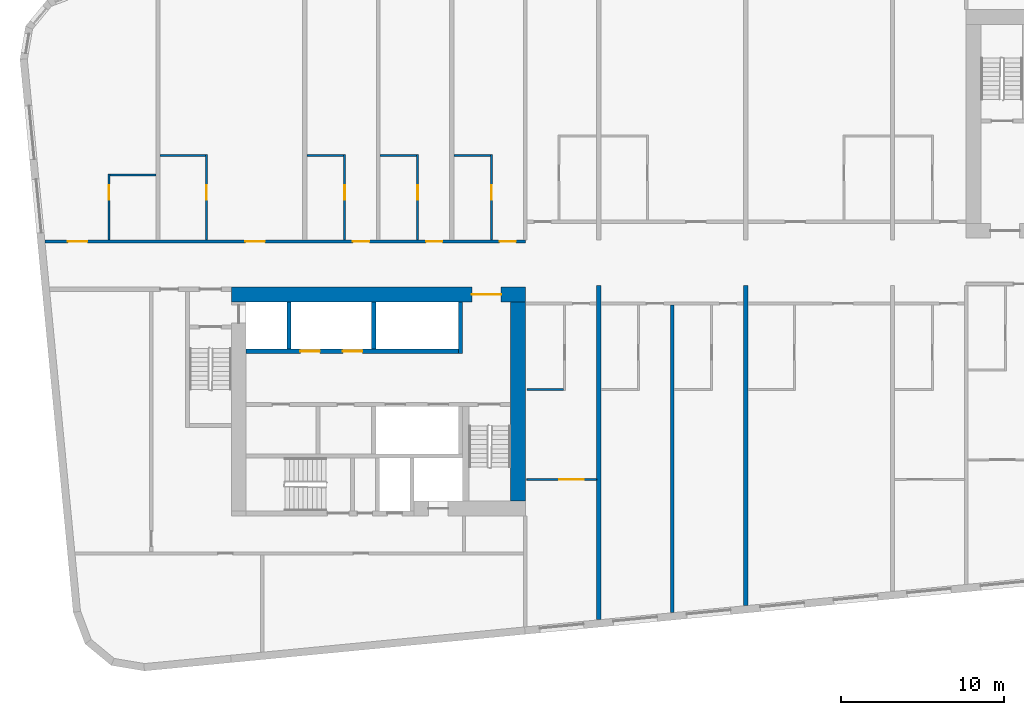
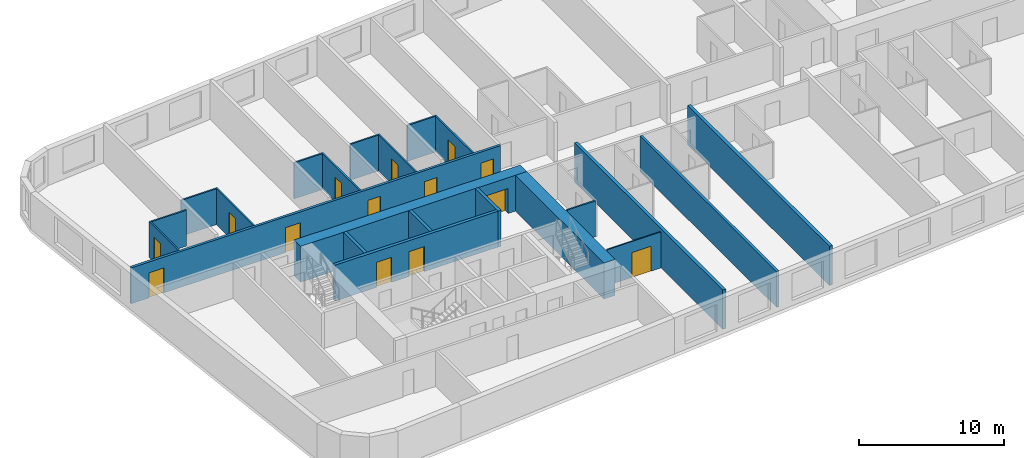
# One storey, part 3 of 12: 22 walls, 14 doors, 14 openings.
"""IFC4 building model written with IfcOpenShell, lengths in metres."""

from ifc_helpers import new_model, si_unit, direction, frame, frame_2d, origin, place, context, subcontext, project, spatial, rectangle, extrude, material, layer, layer_set, type_object, element, fill, save


model = new_model("IFC4")

# Units and contexts
model_context = context("Model", 3, precision=1e-05, world=origin(), true_north=direction((0.0, 1.0)))
body_context = subcontext(model_context, "Body", "Model", "MODEL_VIEW")
ifc_project = project(units=[si_unit("LENGTHUNIT", "METRE"), si_unit("AREAUNIT", "SQUARE_METRE"), si_unit("VOLUMEUNIT", "CUBIC_METRE"), si_unit("PLANEANGLEUNIT", "RADIAN"), si_unit("MASSUNIT", "GRAM", prefix="KILO")], contexts=[model_context])

# Site, building, storey
site_placement = place(None, origin())
site = spatial("IfcSite", under=ifc_project, at=site_placement, CompositionType="ELEMENT")
building_placement = place(site_placement, origin())
building = spatial("IfcBuilding", under=site, at=building_placement, Name="Kajstack Hotel Tower", CompositionType="ELEMENT")
storey_placement = place(building_placement, frame((0.0, 0.0, 183.39990234375)))
storey = spatial("IfcBuildingStorey", under=building, at=storey_placement, Name="L43", CompositionType="ELEMENT", Elevation=183.39990234375)

# Wall, opening, door
ifc_material_1 = material(Name="Concrete C60/75", Category="concrete")
ifc_layer_1 = layer(ifc_material_1, 0.89990234375)
ifc_layer_set_1 = layer_set([ifc_layer_1], Name="Core wall 900")
wall_type_1 = type_object("IfcWallType", Name="Core wall 900", PredefinedType="SHEAR", material=ifc_layer_set_1)
wall_1_placement = place(storey_placement, frame((-31.5, -1.949951171875, 0.0), z_axis=(0.0, 0.0, 1.0), x_axis=(1.0, 0.0, 0.0)))
wall_1 = element("IfcWall", 1, at=wall_1_placement, inside=storey, type_object=wall_type_1, Name="Core wall W RN", PredefinedType="SHEAR", context=body_context, shape_type="SweptSolid", body=[
    extrude(rectangle(XDim=18.0, YDim=0.89990234375, at=frame_2d((9.0, 0.0))), origin(), (0.0, 0.0, 1.0), 3.02001953125),
])
opening_1_placement = place(wall_1_placement, frame((14.72509765625, 0.0, 0.0)))
opening_1 = element("IfcOpeningElement", 2, at=opening_1_placement, cuts=wall_1, Name="Opening 43W07", PredefinedType="OPENING", context=body_context, shape_type="SweptSolid", body=[
    extrude(rectangle(XDim=1.800048828125, YDim=2.10009765625, at=frame_2d((0.89990234375, 1.050048828125))), frame((0.0, 0.4599609375, 0.0), z_axis=(0.0, -1.0, 0.0), x_axis=(1.0, 0.0, 0.0)), (0.0, 0.0, 1.0), 0.919921875),
])
ifc_material_2 = material(Name="Glazed steel frame, fire-rated glass", Category="steel")
door_type_1 = type_object("IfcDoorType", Name="Lobby double door 1800", OperationType="DOUBLE_DOOR_DOUBLE_SWING", PredefinedType="DOOR", material=ifc_material_2)
door_1_placement = place(opening_1_placement, origin())
door_1 = element("IfcDoor", 3, at=door_1_placement, inside=storey, type_object=door_type_1, Name="Door 43W07", OperationType="DOUBLE_DOOR_DOUBLE_SWING", OverallHeight=2.10009765625, OverallWidth=1.800048828125, PredefinedType="DOOR", context=body_context, shape_type="SweptSolid", body=[
    extrude(rectangle(XDim=1.800048828125, YDim=2.10009765625, at=frame_2d((0.89990234375, 1.050048828125))), frame((0.0, 0.02490234375, 0.0), z_axis=(0.0, -1.0, 0.0), x_axis=(1.0, 0.0, 0.0)), (0.0, 0.0, 1.0), 0.050048828125),
])
fill(opening_1, door_1)

# Wall
wall_2_placement = place(storey_placement, frame((-13.949951171875, -14.60009765625, 0.0), z_axis=(0.0, 0.0, 1.0), x_axis=(0.0, 1.0, 0.0)))
element("IfcWall", 4, at=wall_2_placement, inside=storey, type_object=wall_type_1, Name="Core wall W RE", PredefinedType="SHEAR", context=body_context, shape_type="SweptSolid", body=[
    extrude(rectangle(XDim=12.2001953125, YDim=0.89990234375, at=frame_2d((6.10009765625, 0.0))), origin(), (0.0, 0.0, 1.0), 3.02001953125),
])

# Wall, openings, doors
ifc_material_3 = material(Name="Gypsum board on steel studs, mineral wool", Category="steel")
ifc_layer_2 = layer(ifc_material_3, 0.199951171875)
ifc_layer_set_2 = layer_set([ifc_layer_2], Name="Corridor wall 200")
wall_type_2 = type_object("IfcWallType", Name="Corridor wall 200", PredefinedType="PARTITIONING", material=ifc_layer_set_2)
wall_3_placement = place(storey_placement, frame((-42.9130859375, 1.300048828125, 0.0), z_axis=(0.0, 0.0, 1.0), x_axis=(1.0, 0.0, 0.0)))
wall_3 = element("IfcWall", 5, at=wall_3_placement, inside=storey, type_object=wall_type_2, Name="G-wall-L43-003", PredefinedType="PARTITIONING", context=body_context, shape_type="SweptSolid", body=[
    extrude(rectangle(XDim=29.4130859375, YDim=0.199951171875, at=frame_2d((14.70654296875, 0.0))), origin(), (0.0, 0.0, 1.0), 3.02001953125),
])
opening_2_placement = place(wall_3_placement, frame((1.406005859375, 0.0, 0.0)))
opening_2 = element("IfcOpeningElement", 6, at=opening_2_placement, cuts=wall_3, Name="Opening 43001", PredefinedType="OPENING", context=body_context, shape_type="SweptSolid", body=[
    extrude(rectangle(XDim=1.199951171875, YDim=2.10009765625, at=frame_2d((0.60009765625, 1.050048828125))), frame((0.0, 0.10986328125, 0.0), z_axis=(0.0, -1.0, 0.0), x_axis=(1.0, 0.0, 0.0)), (0.0, 0.0, 1.0), 0.219970703125),
])
opening_3_placement = place(wall_3_placement, frame((12.27490234375, 0.0, 0.0)))
opening_3 = element("IfcOpeningElement", 7, at=opening_3_placement, cuts=wall_3, Name="Opening 43003", PredefinedType="OPENING", context=body_context, shape_type="SweptSolid", body=[
    extrude(rectangle(XDim=1.199951171875, YDim=2.10009765625, at=frame_2d((0.60009765625, 1.050048828125))), frame((0.0, 0.10986328125, 0.0), z_axis=(0.0, -1.0, 0.0), x_axis=(1.0, 0.0, 0.0)), (0.0, 0.0, 1.0), 0.219970703125),
])
opening_4_placement = place(wall_3_placement, frame((18.863037109375, 0.0, 0.0)))
opening_4 = element("IfcOpeningElement", 8, at=opening_4_placement, cuts=wall_3, Name="Opening 43005", PredefinedType="OPENING", context=body_context, shape_type="SweptSolid", body=[
    extrude(rectangle(XDim=1.0, YDim=2.10009765625, at=frame_2d((0.5, 1.050048828125))), frame((0.0, 0.10986328125, 0.0), z_axis=(0.0, -1.0, 0.0), x_axis=(1.0, 0.0, 0.0)), (0.0, 0.0, 1.0), 0.219970703125),
])
opening_5_placement = place(wall_3_placement, frame((23.337890625, 0.0, 0.0)))
opening_5 = element("IfcOpeningElement", 9, at=opening_5_placement, cuts=wall_3, Name="Opening 43007", PredefinedType="OPENING", context=body_context, shape_type="SweptSolid", body=[
    extrude(rectangle(XDim=1.0, YDim=2.10009765625, at=frame_2d((0.5, 1.050048828125))), frame((0.0, 0.10986328125, 0.0), z_axis=(0.0, -1.0, 0.0), x_axis=(1.0, 0.0, 0.0)), (0.0, 0.0, 1.0), 0.219970703125),
])
opening_6_placement = place(wall_3_placement, frame((27.837890625, 0.0, 0.0)))
opening_6 = element("IfcOpeningElement", 10, at=opening_6_placement, cuts=wall_3, Name="Opening 43009", PredefinedType="OPENING", context=body_context, shape_type="SweptSolid", body=[
    extrude(rectangle(XDim=1.0, YDim=2.10009765625, at=frame_2d((0.5, 1.050048828125))), frame((0.0, 0.10986328125, 0.0), z_axis=(0.0, -1.0, 0.0), x_axis=(1.0, 0.0, 0.0)), (0.0, 0.0, 1.0), 0.219970703125),
])
ifc_material_4 = material(Name="Oak veneer on timber core, fire-rated leaf", Category="wood")
door_type_2 = type_object("IfcDoorType", Name="Flat entrance door 1000", OperationType="SINGLE_SWING_LEFT", PredefinedType="DOOR", material=ifc_material_4)
door_2_placement = place(opening_4_placement, origin())
door_2 = element("IfcDoor", 11, at=door_2_placement, inside=storey, type_object=door_type_2, Name="G-door-L43-05", OperationType="SINGLE_SWING_RIGHT", OverallHeight=2.10009765625, OverallWidth=1.0, PredefinedType="DOOR", context=body_context, shape_type="SweptSolid", body=[
    extrude(rectangle(XDim=1.0, YDim=2.10009765625, at=frame_2d((0.5, 1.050048828125))), frame((0.0, 0.02490234375, 0.0), z_axis=(0.0, -1.0, 0.0), x_axis=(1.0, 0.0, 0.0)), (0.0, 0.0, 1.0), 0.050048828125),
])
fill(opening_4, door_2)
door_3_placement = place(opening_5_placement, origin())
door_3 = element("IfcDoor", 12, at=door_3_placement, inside=storey, type_object=door_type_2, Name="G-door-L43-07", OperationType="SINGLE_SWING_LEFT", OverallHeight=2.10009765625, OverallWidth=1.0, PredefinedType="DOOR", context=body_context, shape_type="SweptSolid", body=[
    extrude(rectangle(XDim=1.0, YDim=2.10009765625, at=frame_2d((0.5, 1.050048828125))), frame((0.0, 0.02490234375, 0.0), z_axis=(0.0, -1.0, 0.0), x_axis=(1.0, 0.0, 0.0)), (0.0, 0.0, 1.0), 0.050048828125),
])
fill(opening_5, door_3)
door_4_placement = place(opening_6_placement, origin())
door_4 = element("IfcDoor", 13, at=door_4_placement, inside=storey, type_object=door_type_2, Name="G-door-L43-09", OperationType="SINGLE_SWING_LEFT", OverallHeight=2.10009765625, OverallWidth=1.0, PredefinedType="DOOR", context=body_context, shape_type="SweptSolid", body=[
    extrude(rectangle(XDim=1.0, YDim=2.10009765625, at=frame_2d((0.5, 1.050048828125))), frame((0.0, 0.02490234375, 0.0), z_axis=(0.0, -1.0, 0.0), x_axis=(1.0, 0.0, 0.0)), (0.0, 0.0, 1.0), 0.050048828125),
])
fill(opening_6, door_4)
door_type_3 = type_object("IfcDoorType", Name="Flat entrance door 1200", OperationType="SINGLE_SWING_LEFT", PredefinedType="DOOR", material=ifc_material_4)
door_5_placement = place(opening_2_placement, origin())
door_5 = element("IfcDoor", 14, at=door_5_placement, inside=storey, type_object=door_type_3, Name="G-door-L43-01", OperationType="SINGLE_SWING_RIGHT", OverallHeight=2.10009765625, OverallWidth=1.199951171875, PredefinedType="DOOR", context=body_context, shape_type="SweptSolid", body=[
    extrude(rectangle(XDim=1.199951171875, YDim=2.10009765625, at=frame_2d((0.60009765625, 1.050048828125))), frame((0.0, 0.02490234375, 0.0), z_axis=(0.0, -1.0, 0.0), x_axis=(1.0, 0.0, 0.0)), (0.0, 0.0, 1.0), 0.050048828125),
])
fill(opening_2, door_5)
door_6_placement = place(opening_3_placement, origin())
door_6 = element("IfcDoor", 15, at=door_6_placement, inside=storey, type_object=door_type_3, Name="G-door-L43-03", OperationType="SINGLE_SWING_RIGHT", OverallHeight=2.10009765625, OverallWidth=1.199951171875, PredefinedType="DOOR", context=body_context, shape_type="SweptSolid", body=[
    extrude(rectangle(XDim=1.199951171875, YDim=2.10009765625, at=frame_2d((0.60009765625, 1.050048828125))), frame((0.0, 0.02490234375, 0.0), z_axis=(0.0, -1.0, 0.0), x_axis=(1.0, 0.0, 0.0)), (0.0, 0.0, 1.0), 0.050048828125),
])
fill(opening_3, door_6)

# Wall
ifc_material_5 = material(Name="Twin-frame gypsum board on steel studs, mineral wool", Category="steel")
ifc_layer_3 = layer(ifc_material_5, 0.199951171875)
ifc_layer_set_3 = layer_set([ifc_layer_3], Name="Demising wall 200")
wall_type_3 = type_object("IfcWallType", Name="Demising wall 200", PredefinedType="PARTITIONING", material=ifc_layer_set_3)
wall_4_placement = place(storey_placement, frame((-4.5, -21.43408203125, 0.0), z_axis=(0.0, 0.0, 1.0), x_axis=(0.0, 1.0, 0.0)))
element("IfcWall", 16, at=wall_4_placement, inside=storey, type_object=wall_type_3, Name="G-wall-L43-030", PredefinedType="PARTITIONING", context=body_context, shape_type="SweptSolid", body=[
    extrude(rectangle(XDim=18.833984375, YDim=0.199951171875, at=frame_2d((9.4169921875, 0.0))), origin(), (0.0, 0.0, 1.0), 3.02001953125),
])

# Wall, opening, door
ifc_material_6 = material(Name="Gypsum board and tiled backer on steel studs", Category="steel")
ifc_layer_4 = layer(ifc_material_6, 0.125)
ifc_layer_set_4 = layer_set([ifc_layer_4], Name="En-suite wall 125")
wall_type_4 = type_object("IfcWallType", Name="En-suite wall 125", PredefinedType="PARTITIONING", material=ifc_layer_set_4)
wall_5_placement = place(storey_placement, frame((-38.987060546875, 1.39990234375, 0.0), z_axis=(0.0, 0.0, 1.0), x_axis=(0.0, 1.0, 0.0)))
wall_5 = element("IfcWall", 17, at=wall_5_placement, inside=storey, type_object=wall_type_4, Name="G-wall-L43-005", PredefinedType="PARTITIONING", context=body_context, shape_type="SweptSolid", body=[
    extrude(rectangle(XDim=4.028076171875, YDim=0.125, at=frame_2d((2.01416015625, 0.0))), origin(), (0.0, 0.0, 1.0), 3.02001953125),
])
opening_7_placement = place(wall_5_placement, frame((2.449951171875, 0.0, 0.0)))
opening_7 = element("IfcOpeningElement", 18, at=opening_7_placement, cuts=wall_5, Name="Opening 43002", PredefinedType="OPENING", context=body_context, shape_type="SweptSolid", body=[
    extrude(rectangle(XDim=0.89990234375, YDim=2.10009765625, at=frame_2d((0.449951171875, 1.050048828125))), frame((0.0, 0.072509765625, 0.0), z_axis=(0.0, -1.0, 0.0), x_axis=(1.0, 0.0, 0.0)), (0.0, 0.0, 1.0), 0.14501953125),
])
ifc_material_7 = material(Name="Painted timber door leaf", Category="wood")
door_type_4 = type_object("IfcDoorType", Name="Room door 900", OperationType="SINGLE_SWING_LEFT", PredefinedType="DOOR", material=ifc_material_7)
door_7_placement = place(opening_7_placement, origin())
door_7 = element("IfcDoor", 19, at=door_7_placement, inside=storey, type_object=door_type_4, Name="G-door-L43-02", OperationType="SINGLE_SWING_RIGHT", OverallHeight=2.10009765625, OverallWidth=0.89990234375, PredefinedType="DOOR", context=body_context, shape_type="SweptSolid", body=[
    extrude(rectangle(XDim=0.89990234375, YDim=2.10009765625, at=frame_2d((0.449951171875, 1.050048828125))), frame((0.0, 0.02490234375, 0.0), z_axis=(0.0, -1.0, 0.0), x_axis=(1.0, 0.0, 0.0)), (0.0, 0.0, 1.0), 0.050048828125),
])
fill(opening_7, door_7)

# Wall
wall_6_placement = place(storey_placement, frame((-38.925048828125, 5.365966796875, 0.0), z_axis=(0.0, 0.0, 1.0), x_axis=(1.0, 0.0, 0.0)))
element("IfcWall", 20, at=wall_6_placement, inside=storey, type_object=wall_type_4, Name="G-wall-L43-006", PredefinedType="PARTITIONING", context=body_context, shape_type="SweptSolid", body=[
    extrude(rectangle(XDim=2.800048828125, YDim=0.125, at=frame_2d((1.39990234375, 0.0))), origin(), (0.0, 0.0, 1.0), 3.02001953125),
])

# Wall, opening, door
wall_7_placement = place(storey_placement, frame((-33.012939453125, 1.39990234375, 0.0), z_axis=(0.0, 0.0, 1.0), x_axis=(0.0, 1.0, 0.0)))
wall_7 = element("IfcWall", 21, at=wall_7_placement, inside=storey, type_object=wall_type_4, Name="G-wall-L43-007", PredefinedType="PARTITIONING", context=body_context, shape_type="SweptSolid", body=[
    extrude(rectangle(XDim=5.22509765625, YDim=0.125, at=frame_2d((2.612548828125, 0.0))), origin(), (0.0, 0.0, 1.0), 3.02001953125),
])
opening_8_placement = place(wall_7_placement, frame((2.449951171875, 0.0, 0.0)))
opening_8 = element("IfcOpeningElement", 22, at=opening_8_placement, cuts=wall_7, Name="Opening 43004", PredefinedType="OPENING", context=body_context, shape_type="SweptSolid", body=[
    extrude(rectangle(XDim=0.89990234375, YDim=2.10009765625, at=frame_2d((0.449951171875, 1.050048828125))), frame((0.0, 0.072509765625, 0.0), z_axis=(0.0, -1.0, 0.0), x_axis=(1.0, 0.0, 0.0)), (0.0, 0.0, 1.0), 0.14501953125),
])
door_8_placement = place(opening_8_placement, origin())
door_8 = element("IfcDoor", 23, at=door_8_placement, inside=storey, type_object=door_type_4, Name="G-door-L43-04", OperationType="SINGLE_SWING_RIGHT", OverallHeight=2.10009765625, OverallWidth=0.89990234375, PredefinedType="DOOR", context=body_context, shape_type="SweptSolid", body=[
    extrude(rectangle(XDim=0.89990234375, YDim=2.10009765625, at=frame_2d((0.449951171875, 1.050048828125))), frame((0.0, 0.02490234375, 0.0), z_axis=(0.0, -1.0, 0.0), x_axis=(1.0, 0.0, 0.0)), (0.0, 0.0, 1.0), 0.050048828125),
])
fill(opening_8, door_8)

# Wall
wall_8_placement = place(storey_placement, frame((-35.875, 6.56201171875, 0.0), z_axis=(0.0, 0.0, 1.0), x_axis=(1.0, 0.0, 0.0)))
element("IfcWall", 24, at=wall_8_placement, inside=storey, type_object=wall_type_4, Name="G-wall-L43-008", PredefinedType="PARTITIONING", context=body_context, shape_type="SweptSolid", body=[
    extrude(rectangle(XDim=2.800048828125, YDim=0.125, at=frame_2d((1.39990234375, 0.0))), origin(), (0.0, 0.0, 1.0), 3.02001953125),
])

# Wall, opening, door
wall_9_placement = place(storey_placement, frame((-24.56201171875, 1.39990234375, 0.0), z_axis=(0.0, 0.0, 1.0), x_axis=(0.0, 1.0, 0.0)))
wall_9 = element("IfcWall", 25, at=wall_9_placement, inside=storey, type_object=wall_type_4, Name="G-wall-L43-010", PredefinedType="PARTITIONING", context=body_context, shape_type="SweptSolid", body=[
    extrude(rectangle(XDim=5.22509765625, YDim=0.125, at=frame_2d((2.612548828125, 0.0))), origin(), (0.0, 0.0, 1.0), 3.02001953125),
])
opening_9_placement = place(wall_9_placement, frame((2.449951171875, 0.0, 0.0)))
opening_9 = element("IfcOpeningElement", 26, at=opening_9_placement, cuts=wall_9, Name="Opening 43006", PredefinedType="OPENING", context=body_context, shape_type="SweptSolid", body=[
    extrude(rectangle(XDim=0.89990234375, YDim=2.10009765625, at=frame_2d((0.449951171875, 1.050048828125))), frame((0.0, 0.072509765625, 0.0), z_axis=(0.0, -1.0, 0.0), x_axis=(1.0, 0.0, 0.0)), (0.0, 0.0, 1.0), 0.14501953125),
])
door_9_placement = place(opening_9_placement, origin())
door_9 = element("IfcDoor", 27, at=door_9_placement, inside=storey, type_object=door_type_4, Name="G-door-L43-06", OperationType="SINGLE_SWING_RIGHT", OverallHeight=2.10009765625, OverallWidth=0.89990234375, PredefinedType="DOOR", context=body_context, shape_type="SweptSolid", body=[
    extrude(rectangle(XDim=0.89990234375, YDim=2.10009765625, at=frame_2d((0.449951171875, 1.050048828125))), frame((0.0, 0.02490234375, 0.0), z_axis=(0.0, -1.0, 0.0), x_axis=(1.0, 0.0, 0.0)), (0.0, 0.0, 1.0), 0.050048828125),
])
fill(opening_9, door_9)

# Wall
wall_10_placement = place(storey_placement, frame((-26.875, 6.56201171875, 0.0), z_axis=(0.0, 0.0, 1.0), x_axis=(1.0, 0.0, 0.0)))
element("IfcWall", 28, at=wall_10_placement, inside=storey, type_object=wall_type_4, Name="G-wall-L43-011", PredefinedType="PARTITIONING", context=body_context, shape_type="SweptSolid", body=[
    extrude(rectangle(XDim=2.25, YDim=0.125, at=frame_2d((1.125, 0.0))), origin(), (0.0, 0.0, 1.0), 3.02001953125),
])

# Wall, opening, door
wall_11_placement = place(storey_placement, frame((-20.0869140625, 1.39990234375, 0.0), z_axis=(0.0, 0.0, 1.0), x_axis=(0.0, 1.0, 0.0)))
wall_11 = element("IfcWall", 29, at=wall_11_placement, inside=storey, type_object=wall_type_4, Name="G-wall-L43-012", PredefinedType="PARTITIONING", context=body_context, shape_type="SweptSolid", body=[
    extrude(rectangle(XDim=5.22509765625, YDim=0.125, at=frame_2d((2.612548828125, 0.0))), origin(), (0.0, 0.0, 1.0), 3.02001953125),
])
opening_10_placement = place(wall_11_placement, frame((2.449951171875, 0.0, 0.0)))
opening_10 = element("IfcOpeningElement", 30, at=opening_10_placement, cuts=wall_11, Name="Opening 43008", PredefinedType="OPENING", context=body_context, shape_type="SweptSolid", body=[
    extrude(rectangle(XDim=0.89990234375, YDim=2.10009765625, at=frame_2d((0.449951171875, 1.050048828125))), frame((0.0, 0.072509765625, 0.0), z_axis=(0.0, -1.0, 0.0), x_axis=(1.0, 0.0, 0.0)), (0.0, 0.0, 1.0), 0.14501953125),
])
door_10_placement = place(opening_10_placement, origin())
door_10 = element("IfcDoor", 31, at=door_10_placement, inside=storey, type_object=door_type_4, Name="G-door-L43-08", OperationType="SINGLE_SWING_RIGHT", OverallHeight=2.10009765625, OverallWidth=0.89990234375, PredefinedType="DOOR", context=body_context, shape_type="SweptSolid", body=[
    extrude(rectangle(XDim=0.89990234375, YDim=2.10009765625, at=frame_2d((0.449951171875, 1.050048828125))), frame((0.0, 0.02490234375, 0.0), z_axis=(0.0, -1.0, 0.0), x_axis=(1.0, 0.0, 0.0)), (0.0, 0.0, 1.0), 0.050048828125),
])
fill(opening_10, door_10)

# Wall
wall_12_placement = place(storey_placement, frame((-22.39990234375, 6.56201171875, 0.0), z_axis=(0.0, 0.0, 1.0), x_axis=(1.0, 0.0, 0.0)))
element("IfcWall", 32, at=wall_12_placement, inside=storey, type_object=wall_type_4, Name="G-wall-L43-013", PredefinedType="PARTITIONING", context=body_context, shape_type="SweptSolid", body=[
    extrude(rectangle(XDim=2.25, YDim=0.125, at=frame_2d((1.125, 0.0))), origin(), (0.0, 0.0, 1.0), 3.02001953125),
])

# Wall, opening, door
wall_13_placement = place(storey_placement, frame((-15.56201171875, 1.39990234375, 0.0), z_axis=(0.0, 0.0, 1.0), x_axis=(0.0, 1.0, 0.0)))
wall_13 = element("IfcWall", 33, at=wall_13_placement, inside=storey, type_object=wall_type_4, Name="G-wall-L43-015", PredefinedType="PARTITIONING", context=body_context, shape_type="SweptSolid", body=[
    extrude(rectangle(XDim=5.22509765625, YDim=0.125, at=frame_2d((2.612548828125, 0.0))), origin(), (0.0, 0.0, 1.0), 3.02001953125),
])
opening_11_placement = place(wall_13_placement, frame((2.449951171875, 0.0, 0.0)))
opening_11 = element("IfcOpeningElement", 34, at=opening_11_placement, cuts=wall_13, Name="Opening 43010", PredefinedType="OPENING", context=body_context, shape_type="SweptSolid", body=[
    extrude(rectangle(XDim=0.89990234375, YDim=2.10009765625, at=frame_2d((0.449951171875, 1.050048828125))), frame((0.0, 0.072509765625, 0.0), z_axis=(0.0, -1.0, 0.0), x_axis=(1.0, 0.0, 0.0)), (0.0, 0.0, 1.0), 0.14501953125),
])
door_11_placement = place(opening_11_placement, origin())
door_11 = element("IfcDoor", 35, at=door_11_placement, inside=storey, type_object=door_type_4, Name="G-door-L43-10", OperationType="SINGLE_SWING_RIGHT", OverallHeight=2.10009765625, OverallWidth=0.89990234375, PredefinedType="DOOR", context=body_context, shape_type="SweptSolid", body=[
    extrude(rectangle(XDim=0.89990234375, YDim=2.10009765625, at=frame_2d((0.449951171875, 1.050048828125))), frame((0.0, 0.02490234375, 0.0), z_axis=(0.0, -1.0, 0.0), x_axis=(1.0, 0.0, 0.0)), (0.0, 0.0, 1.0), 0.050048828125),
])
fill(opening_11, door_11)

# Walls
for number, where, z_axis, x_axis, name in (
    (36, (-17.875, 6.56201171875, 0.0), (0.0, 0.0, 1.0), (1.0, 0.0, 0.0), "G-wall-L43-016"),
    (37, (-13.39990234375, -7.761962890625, 0.0), (0.0, 0.0, 1.0), (1.0, 0.0, 0.0), "G-wall-L43-028"),
):
    element("IfcWall", number, at=place(storey_placement, frame(where, z_axis=z_axis, x_axis=x_axis)), inside=storey, type_object=wall_type_4, Name=name, PredefinedType="PARTITIONING", context=body_context, shape_type="SweptSolid", body=[
        extrude(rectangle(XDim=2.25, YDim=0.125, at=frame_2d((1.125, 0.0))), origin(), (0.0, 0.0, 1.0), 3.02001953125),
    ])
ifc_material_8 = material(Name="Concrete C50/60", Category="concrete")
ifc_layer_5 = layer(ifc_material_8, 0.300048828125)
ifc_layer_set_5 = layer_set([ifc_layer_5], Name="Hoistway divider wall 300")
wall_type_5 = type_object("IfcWallType", Name="Hoistway divider wall 300", PredefinedType="SHEAR", material=ifc_layer_set_5)
wall_14_placement = place(storey_placement, frame((-22.77490234375, -5.300048828125, 0.0), z_axis=(0.0, 0.0, 1.0), x_axis=(0.0, 1.0, 0.0)))
element("IfcWall", 38, at=wall_14_placement, inside=storey, type_object=wall_type_5, Name="Core wall W AP2", PredefinedType="SHEAR", context=body_context, shape_type="SweptSolid", body=[
    extrude(rectangle(XDim=2.900146484375, YDim=0.25, at=frame_2d((1.4501953125, 0.0))), origin(), (0.0, 0.0, 1.0), 3.02001953125),
])

# Wall, opening, door
ifc_material_9 = material(Name="Gypsum board on steel studs", Category="steel")
ifc_layer_6 = layer(ifc_material_9, 0.10009765625)
ifc_layer_set_6 = layer_set([ifc_layer_6], Name="Partition 100")
wall_type_6 = type_object("IfcWallType", Name="Partition 100", PredefinedType="PARTITIONING", material=ifc_layer_set_6)
wall_15_placement = place(storey_placement, frame((-13.39990234375, -13.27490234375, 0.0), z_axis=(0.0, 0.0, 1.0), x_axis=(1.0, 0.0, 0.0)))
wall_15 = element("IfcWall", 39, at=wall_15_placement, inside=storey, type_object=wall_type_6, Name="G-wall-L43-029", PredefinedType="PARTITIONING", context=body_context, shape_type="SweptSolid", body=[
    extrude(rectangle(XDim=4.27490234375, YDim=0.10009765625, at=frame_2d((2.137451171875, 0.0))), origin(), (0.0, 0.0, 1.0), 3.02001953125),
])
opening_12_placement = place(wall_15_placement, frame((1.988037109375, 0.0, 0.0)))
opening_12 = element("IfcOpeningElement", 40, at=opening_12_placement, cuts=wall_15, Name="Opening 43021", PredefinedType="OPENING", context=body_context, shape_type="SweptSolid", body=[
    extrude(rectangle(XDim=1.5, YDim=2.10009765625, at=frame_2d((0.75, 1.050048828125))), frame((0.0, 0.06005859375, 0.0), z_axis=(0.0, -1.0, 0.0), x_axis=(1.0, 0.0, 0.0)), (0.0, 0.0, 1.0), 0.1201171875),
])
ifc_material_10 = material(Name="Painted timber door leaves, glazed panels", Category="wood")
door_type_5 = type_object("IfcDoorType", Name="Double door 1500", OperationType="SINGLE_SWING_LEFT", PredefinedType="DOOR", material=ifc_material_10)
door_12_placement = place(opening_12_placement, origin())
door_12 = element("IfcDoor", 41, at=door_12_placement, inside=storey, type_object=door_type_5, Name="G-door-L43-21", OperationType="SINGLE_SWING_RIGHT", OverallHeight=2.10009765625, OverallWidth=1.5, PredefinedType="DOOR", context=body_context, shape_type="SweptSolid", body=[
    extrude(rectangle(XDim=1.5, YDim=2.10009765625, at=frame_2d((0.75, 1.050048828125))), frame((0.0, 0.02490234375, 0.0), z_axis=(0.0, -1.0, 0.0), x_axis=(1.0, 0.0, 0.0)), (0.0, 0.0, 1.0), 0.050048828125),
])
fill(opening_12, door_12)

# Walls
ifc_layer_7 = layer(ifc_material_8, 0.25)
ifc_layer_set_7 = layer_set([ifc_layer_7], Name="RC cross wall 250 C50/60")
wall_type_7 = type_object("IfcWallType", Name="RC cross wall 250 C50/60", PredefinedType="SHEAR", material=ifc_layer_set_7)
wall_16_placement = place(storey_placement, frame((-9.0, -21.84521484375, 0.0), z_axis=(0.0, 0.0, 1.0), x_axis=(0.0, 1.0, 0.0)))
element("IfcWall", 42, at=wall_16_placement, inside=storey, type_object=wall_type_7, Name="S-wall-L43-04", PredefinedType="SHEAR", context=body_context, shape_type="SweptSolid", body=[
    extrude(rectangle(XDim=20.4453125, YDim=0.25, at=frame_2d((10.22265625, 0.0))), origin(), (0.0, 0.0, 1.0), 3.300048828125),
])
wall_17_placement = place(storey_placement, frame((0.0, -20.978515625, 0.0), z_axis=(0.0, 0.0, 1.0), x_axis=(0.0, 1.0, 0.0)))
element("IfcWall", 43, at=wall_17_placement, inside=storey, type_object=wall_type_7, Name="S-wall-L43-06", PredefinedType="SHEAR", context=body_context, shape_type="SweptSolid", body=[
    extrude(rectangle(XDim=19.57861328125, YDim=0.25, at=frame_2d((9.789306640625, 0.0))), origin(), (0.0, 0.0, 1.0), 3.300048828125),
])

# Wall, openings, doors
ifc_layer_8 = layer(ifc_material_8, 0.25)
ifc_layer_set_8 = layer_set([ifc_layer_8], Name="Shaft wall 250")
wall_type_8 = type_object("IfcWallType", Name="Shaft wall 250", PredefinedType="SHEAR", material=ifc_layer_set_8)
wall_18_placement = place(storey_placement, frame((-30.60009765625, -5.425048828125, 0.0), z_axis=(0.0, 0.0, 1.0), x_axis=(1.0, 0.0, 0.0)))
wall_18 = element("IfcWall", 44, at=wall_18_placement, inside=storey, type_object=wall_type_8, Name="Core wall W FA", PredefinedType="SHEAR", context=body_context, shape_type="SweptSolid", body=[
    extrude(rectangle(XDim=13.0, YDim=0.25, at=frame_2d((6.5, 0.0))), origin(), (0.0, 0.0, 1.0), 3.02001953125),
])
opening_13_placement = place(wall_18_placement, frame((3.324951171875, 0.0, 0.0)))
opening_13 = element("IfcOpeningElement", 45, at=opening_13_placement, cuts=wall_18, Name="Opening LD-MR3", PredefinedType="OPENING", context=body_context, shape_type="SweptSolid", body=[
    extrude(rectangle(XDim=1.199951171875, YDim=2.10009765625, at=frame_2d((0.60009765625, 1.050048828125))), frame((0.0, 0.135009765625, 0.0), z_axis=(0.0, -1.0, 0.0), x_axis=(1.0, 0.0, 0.0)), (0.0, 0.0, 1.0), 0.27001953125),
])
opening_14_placement = place(wall_18_placement, frame((5.925048828125, 0.0, 0.0)))
opening_14 = element("IfcOpeningElement", 46, at=opening_14_placement, cuts=wall_18, Name="Opening LD-MR4", PredefinedType="OPENING", context=body_context, shape_type="SweptSolid", body=[
    extrude(rectangle(XDim=1.199951171875, YDim=2.10009765625, at=frame_2d((0.60009765625, 1.050048828125))), frame((0.0, 0.135009765625, 0.0), z_axis=(0.0, -1.0, 0.0), x_axis=(1.0, 0.0, 0.0)), (0.0, 0.0, 1.0), 0.27001953125),
])
ifc_material_11 = material(Name="Stainless steel", Category="steel")
door_type_6 = type_object("IfcDoorType", Name="Lift landing door 1200", OperationType="SLIDING_TO_LEFT", PredefinedType="DOOR", material=ifc_material_11)
door_13_placement = place(opening_13_placement, origin())
door_13 = element("IfcDoor", 47, at=door_13_placement, inside=storey, type_object=door_type_6, Name="Landing door MR3", OperationType="SLIDING_TO_RIGHT", OverallHeight=2.10009765625, OverallWidth=1.199951171875, PredefinedType="DOOR", context=body_context, shape_type="SweptSolid", body=[
    extrude(rectangle(XDim=1.199951171875, YDim=2.10009765625, at=frame_2d((0.60009765625, 1.050048828125))), frame((0.0, 0.02490234375, 0.0), z_axis=(0.0, -1.0, 0.0), x_axis=(1.0, 0.0, 0.0)), (0.0, 0.0, 1.0), 0.050048828125),
])
fill(opening_13, door_13)
door_14_placement = place(opening_14_placement, origin())
door_14 = element("IfcDoor", 48, at=door_14_placement, inside=storey, type_object=door_type_6, Name="Landing door MR4", OperationType="SLIDING_TO_RIGHT", OverallHeight=2.10009765625, OverallWidth=1.199951171875, PredefinedType="DOOR", context=body_context, shape_type="SweptSolid", body=[
    extrude(rectangle(XDim=1.199951171875, YDim=2.10009765625, at=frame_2d((0.60009765625, 1.050048828125))), frame((0.0, 0.02490234375, 0.0), z_axis=(0.0, -1.0, 0.0), x_axis=(1.0, 0.0, 0.0)), (0.0, 0.0, 1.0), 0.050048828125),
])
fill(opening_14, door_14)

# Walls
wall_19_placement = place(storey_placement, frame((-17.47509765625, -5.550048828125, 0.0), z_axis=(0.0, 0.0, 1.0), x_axis=(0.0, 1.0, 0.0)))
element("IfcWall", 49, at=wall_19_placement, inside=storey, type_object=wall_type_8, Name="Core wall W AE", PredefinedType="SHEAR", context=body_context, shape_type="SweptSolid", body=[
    extrude(rectangle(XDim=3.150146484375, YDim=0.25, at=frame_2d((1.5751953125, 0.0))), origin(), (0.0, 0.0, 1.0), 3.02001953125),
])
wall_20_placement = place(storey_placement, frame((-27.97509765625, -5.300048828125, 0.0), z_axis=(0.0, 0.0, 1.0), x_axis=(0.0, 1.0, 0.0)))
element("IfcWall", 50, at=wall_20_placement, inside=storey, type_object=wall_type_8, Name="Core wall W AP0", PredefinedType="SHEAR", context=body_context, shape_type="SweptSolid", body=[
    extrude(rectangle(XDim=2.900146484375, YDim=0.25, at=frame_2d((1.4501953125, 0.0))), origin(), (0.0, 0.0, 1.0), 3.02001953125),
])

save(model, "model.ifc")
